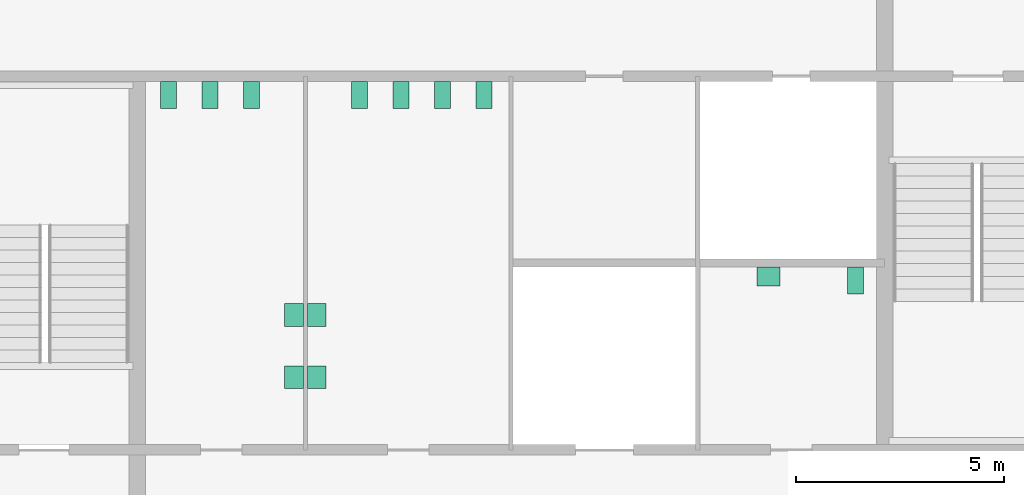
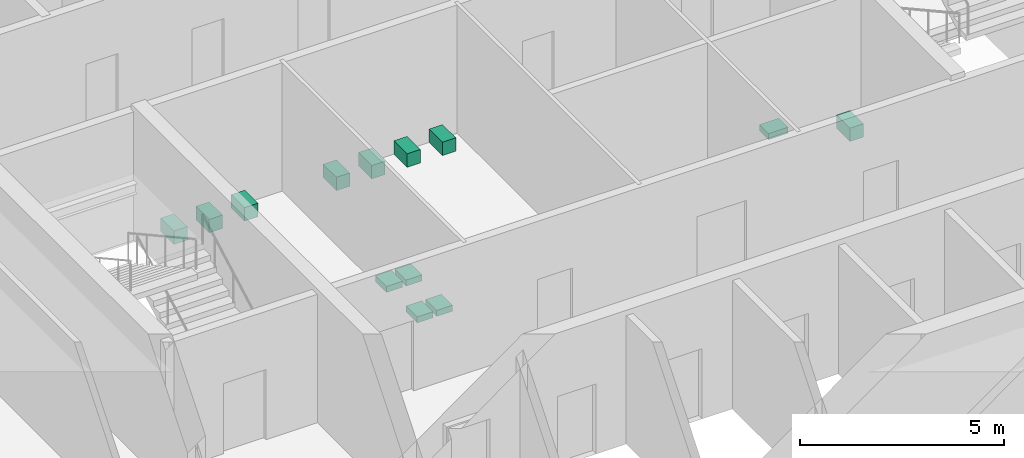
# One storey, part 12 of 12: 13 sanitary terminals.
"""IFC4 building model written with IfcOpenShell, lengths in metres."""

from ifc_helpers import new_model, si_unit, direction, frame, origin, origin_2d, place, context, subcontext, project, spatial, rectangle, extrude, material, type_object, element, save


model = new_model("IFC4")

# Units and contexts
model_context = context("Model", 3, precision=1e-05, world=origin(), true_north=direction((0.0, 1.0)))
body_context = subcontext(model_context, "Body", "Model", "MODEL_VIEW")
ifc_project = project(units=[si_unit("LENGTHUNIT", "METRE"), si_unit("AREAUNIT", "SQUARE_METRE"), si_unit("VOLUMEUNIT", "CUBIC_METRE"), si_unit("PLANEANGLEUNIT", "RADIAN"), si_unit("MASSUNIT", "GRAM", prefix="KILO")], contexts=[model_context])

# Site, building, storey
site_placement = place(None, origin())
site = spatial("IfcSite", under=ifc_project, at=site_placement, CompositionType="ELEMENT")
building_placement = place(site_placement, origin())
building = spatial("IfcBuilding", under=site, at=building_placement, Name="Corais Broadcast Tower", CompositionType="ELEMENT")
storey_placement = place(building_placement, frame((0.0, 0.0, 159.60009765625)))
storey = spatial("IfcBuildingStorey", under=building, at=storey_placement, Name="L36", CompositionType="ELEMENT", Elevation=159.60009765625)

# Sanitary terminals
ifc_material_1 = material(Name="Vitreous china", Category="ceramic")
sanitary_terminal_type_1 = type_object("IfcSanitaryTerminalType", Name="WC pan 380x650", PredefinedType="TOILETPAN", material=ifc_material_1)
for number, where, z_axis, x_axis, name in (
    (1, (18.75, 31.050048828125, 0.0), (0.0, 0.0, 1.0), (1.0, 0.0, 0.0), "SW1 WC pan, male toilets L36"),
    (2, (19.75, 31.050048828125, 0.0), (0.0, 0.0, 1.0), (1.0, 0.0, 0.0), "SW1 WC pan, male toilets L36"),
    (3, (20.75, 31.050048828125, 0.0), (0.0, 0.0, 1.0), (1.0, 0.0, 0.0), "SW1 WC pan, male toilets L36"),
    (4, (23.35009765625, 31.050048828125, 0.0), (0.0, 0.0, 1.0), (1.0, 0.0, 0.0), "SW1 WC pan, female toilets L36"),
    (5, (24.35009765625, 31.050048828125, 0.0), (0.0, 0.0, 1.0), (1.0, 0.0, 0.0), "SW1 WC pan, female toilets L36"),
    (6, (25.35009765625, 31.050048828125, 0.0), (0.0, 0.0, 1.0), (1.0, 0.0, 0.0), "SW1 WC pan, female toilets L36"),
    (7, (26.35009765625, 31.050048828125, 0.0), (0.0, 0.0, 1.0), (1.0, 0.0, 0.0), "SW1 WC pan, female toilets L36"),
    (8, (35.300048828125, 26.574951171875, 0.0), (0.0, 0.0, 1.0), (1.0, 0.0, 0.0), "SW1 WC pan, accessible WC L36"),
):
    element("IfcSanitaryTerminal", number, at=place(storey_placement, frame(where, z_axis=z_axis, x_axis=x_axis)), inside=storey, type_object=sanitary_terminal_type_1, Name=name, PredefinedType="TOILETPAN", context=body_context, shape_type="SweptSolid", body=[
        extrude(rectangle(XDim=0.3798828125, YDim=0.64990234375, at=origin_2d()), origin(), (0.0, 0.0, 1.0), 0.39990234375),
    ])
ifc_material_2 = material(Name="Vitreous china", Category="ceramic")
sanitary_terminal_type_2 = type_object("IfcSanitaryTerminalType", Name="Wash basin 550x450", PredefinedType="WASHHANDBASIN", material=ifc_material_2)
for number, where, z_axis, x_axis, name in (
    (9, (21.77490234375, 24.25, 0.69970703125), (0.0, 0.0, 1.0), (1.0, 0.0, 0.0), "WB1 wash basin, male toilets L36"),
    (10, (21.77490234375, 25.75, 0.69970703125), (0.0, 0.0, 1.0), (1.0, 0.0, 0.0), "WB1 wash basin, male toilets L36"),
    (11, (22.324951171875, 24.25, 0.69970703125), (0.0, 0.0, 1.0), (1.0, 0.0, 0.0), "WB1 wash basin, female toilets L36"),
    (12, (22.324951171875, 25.75, 0.69970703125), (0.0, 0.0, 1.0), (1.0, 0.0, 0.0), "WB1 wash basin, female toilets L36"),
):
    element("IfcSanitaryTerminal", number, at=place(storey_placement, frame(where, z_axis=z_axis, x_axis=x_axis)), inside=storey, type_object=sanitary_terminal_type_2, Name=name, PredefinedType="WASHHANDBASIN", context=body_context, shape_type="SweptSolid", body=[
        extrude(rectangle(XDim=0.449951171875, YDim=0.550048828125, at=origin_2d()), origin(), (0.0, 0.0, 1.0), 0.179931640625),
    ])
sanitary_terminal_placement = place(storey_placement, frame((33.199951171875, 26.675048828125, 0.69970703125), z_axis=(0.0, 0.0, 1.0), x_axis=(1.0, 0.0, 0.0)))
element("IfcSanitaryTerminal", 13, at=sanitary_terminal_placement, inside=storey, type_object=sanitary_terminal_type_2, Name="WB1 wash basin, accessible WC L36", PredefinedType="WASHHANDBASIN", context=body_context, shape_type="SweptSolid", body=[
    extrude(rectangle(XDim=0.550048828125, YDim=0.449951171875, at=origin_2d()), origin(), (0.0, 0.0, 1.0), 0.179931640625),
])

save(model, "model.ifc")
